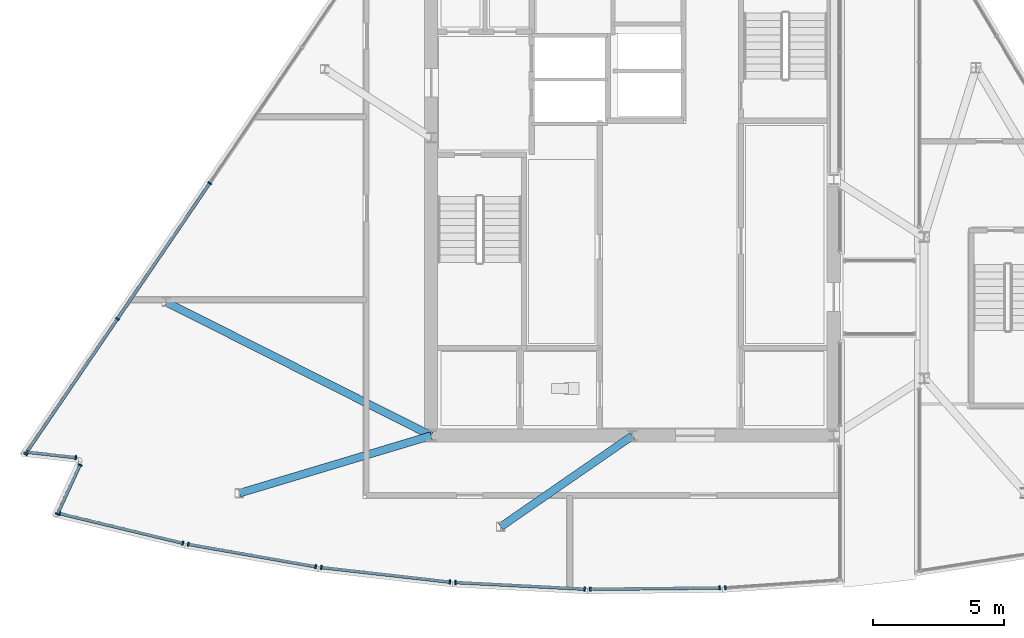
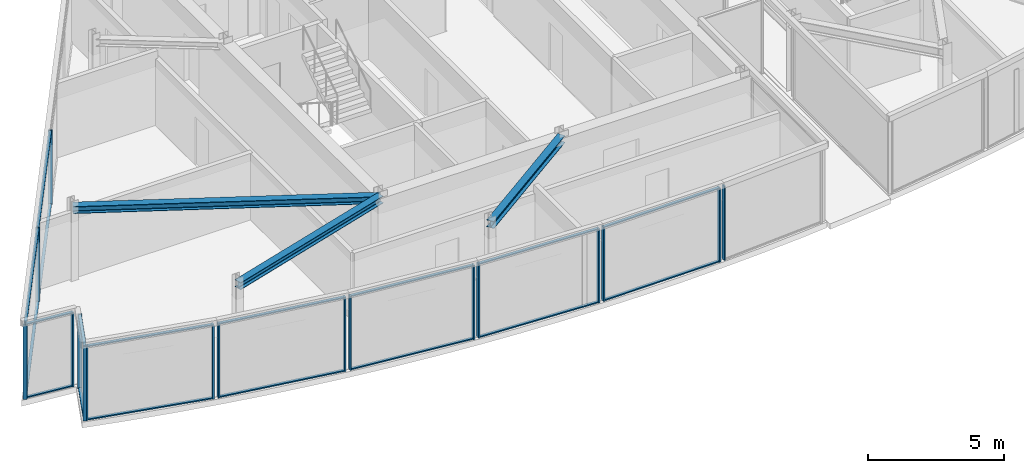
# One storey, part 3 of 15: 36 members, 3 beams, 9 elements without a shape of their own.
"""IFC4 building model written with IfcOpenShell, lengths in metres."""

from ifc_helpers import new_model, si_unit, direction, frame, origin, origin_2d, place, context, subcontext, project, spatial, rectangle, i_section, extrude, material, material_profile, profile_set, type_object, element, aggregate, save


model = new_model("IFC4")

# Units and contexts
model_context = context("Model", 3, precision=1e-05, world=origin(), true_north=direction((0.0, 1.0)))
body_context = subcontext(model_context, "Body", "Model", "MODEL_VIEW")
ifc_project = project(units=[si_unit("LENGTHUNIT", "METRE"), si_unit("AREAUNIT", "SQUARE_METRE"), si_unit("VOLUMEUNIT", "CUBIC_METRE"), si_unit("PLANEANGLEUNIT", "RADIAN"), si_unit("MASSUNIT", "GRAM", prefix="KILO")], contexts=[model_context])

# Site, building, storey
site_placement = place(None, origin())
site = spatial("IfcSite", under=ifc_project, at=site_placement, CompositionType="ELEMENT")
building_placement = place(site_placement, origin())
building = spatial("IfcBuilding", under=site, at=building_placement, Name="Savorim Split Tower", CompositionType="ELEMENT")
storey_placement = place(building_placement, frame((0.0, 0.0, 297.60009765625)))
storey = spatial("IfcBuildingStorey", under=building, at=storey_placement, Name="Crown L79 Plant", CompositionType="ELEMENT", Elevation=297.60009765625)

# Beams
ifc_material_1 = material(Name="Steel S355", Category="steel")
ifc_material_profile_1 = material_profile(ifc_material_1, i_section(OverallWidth=0.300048828125, OverallDepth=0.320068359375, WebThickness=0.011474609375, FlangeThickness=0.0205078125, FilletRadius=0.027099609375, at=origin_2d()), Name="HEB 320")
ifc_profile_set_1 = profile_set([ifc_material_profile_1], Name="Steel S355")
beam_type = type_object("IfcBeamType", Name="BM-PRI-HEB320", PredefinedType="BEAM", material=ifc_profile_set_1)
beam_1_placement = place(storey_placement, frame((-15.037109375, -11.6015625, 3.179931640625), z_axis=(0.957807862617, 0.287409287096, 0.0), x_axis=(-0.287409287096, 0.957807862617, 0.0)))
element("IfcBeam", 1, at=beam_1_placement, inside=storey, type_object=beam_type, Name="Crown L79 Plant West Crown Beam WBG-1", PredefinedType="BEAM", context=body_context, shape_type="SweptSolid", body=[
    extrude(i_section(OverallWidth=0.300048828125, OverallDepth=0.320068359375, WebThickness=0.011474609375, FlangeThickness=0.0205078125, FilletRadius=0.027099609375, at=origin_2d()), origin(), (0.0, 0.0, 1.0), 7.660400390625),
])
beam_2_placement = place(storey_placement, frame((-5.039794921875, -12.885009765625, 3.179931640625), z_axis=(0.82249616242, 0.568770659233, 0.0), x_axis=(-0.568770659233, 0.82249616242, 0.0)))
element("IfcBeam", 2, at=beam_2_placement, inside=storey, type_object=beam_type, Name="Crown L79 Plant West Crown Beam WBG-2", PredefinedType="BEAM", context=body_context, shape_type="SweptSolid", body=[
    extrude(i_section(OverallWidth=0.300048828125, OverallDepth=0.320068359375, WebThickness=0.011474609375, FlangeThickness=0.0205078125, FilletRadius=0.027099609375, at=origin_2d()), origin(), (0.0, 0.0, 1.0), 6.12744140625),
])
beam_3_placement = place(storey_placement, frame((-17.84033203125, -4.288818359375, 3.179931640625), z_axis=(0.892982084202, -0.450092209769, 0.0), x_axis=(0.450092209769, 0.892982084202, 0.0)))
element("IfcBeam", 3, at=beam_3_placement, inside=storey, type_object=beam_type, Name="Crown L79 Plant West Crown Beam WBG-3", PredefinedType="BEAM", context=body_context, shape_type="SweptSolid", body=[
    extrude(i_section(OverallWidth=0.300048828125, OverallDepth=0.320068359375, WebThickness=0.011474609375, FlangeThickness=0.0205078125, FilletRadius=0.027099609375, at=origin_2d()), origin(), (0.0, 0.0, 1.0), 11.355712890625),
])

# Curtain wall, members
ifc_material_2 = material(Name="Dark Ceramic-Fritted Insulated Glass", Category="glass")
curtain_wall_type = type_object("IfcCurtainWallType", Name="CW-CROWN-CREST", PredefinedType="NOTDEFINED", material=ifc_material_2)
curtain_wall_1_placement = place(storey_placement, origin())
curtain_wall_1 = element("IfcCurtainWall", 4, at=curtain_wall_1_placement, inside=storey, type_object=curtain_wall_type, Name="Crown L79 Plant Curtain Wall CW-Crown-L79-Plant-W5A", PredefinedType="NOTDEFINED")
ifc_material_3 = material(Name="Charcoal Anodised Aluminium", Category="aluminium")
ifc_material_profile_2 = material_profile(ifc_material_3, rectangle(XDim=0.159912109375, YDim=0.06005859375, at=origin_2d()), Name="ALU-M 160x60")
ifc_profile_set_2 = profile_set([ifc_material_profile_2], Name="Charcoal Anodised Aluminium")
member_type_1 = type_object("IfcMemberType", Name="CWM-160x60", PredefinedType="MULLION", material=ifc_profile_set_2)
member_1_placement = place(storey_placement, frame((-16.170654296875, 0.2587890625, 0.0), z_axis=(0.0, 0.0, 1.0), x_axis=(0.82682067148, -0.56246562314, 0.0)))
member_1 = element("IfcMember", 5, at=member_1_placement, type_object=member_type_1, Name="CW-07 mullion 5", PredefinedType="MULLION", context=body_context, shape_type="SweptSolid", body=[
    extrude(rectangle(XDim=0.159912109375, YDim=0.06005859375, at=origin_2d()), origin(), (0.0, 0.0, 1.0), 3.33984375),
])
member_2_placement = place(storey_placement, frame((-19.70361328125, -4.9345703125, 0.0), z_axis=(0.0, 0.0, 1.0), x_axis=(0.82682067148, -0.56246562314, 0.0)))
member_2 = element("IfcMember", 6, at=member_2_placement, type_object=member_type_1, Name="CW-07 mullion 6", PredefinedType="MULLION", context=body_context, shape_type="SweptSolid", body=[
    extrude(rectangle(XDim=0.159912109375, YDim=0.06005859375, at=origin_2d()), origin(), (0.0, 0.0, 1.0), 3.33984375),
])
member_3_placement = place(storey_placement, frame((-23.219482421875, -10.102783203125, 0.0), z_axis=(0.0, 0.0, 1.0), x_axis=(0.82682067148, -0.56246562314, 0.0)))
member_3 = element("IfcMember", 7, at=member_3_placement, type_object=member_type_1, Name="CW-07 mullion 7", PredefinedType="MULLION", context=body_context, shape_type="SweptSolid", body=[
    extrude(rectangle(XDim=0.159912109375, YDim=0.06005859375, at=origin_2d()), origin(), (0.0, 0.0, 1.0), 3.33984375),
])

curtain_wall_2_placement = place(storey_placement, origin())
curtain_wall_2 = element("IfcCurtainWall", 8, at=curtain_wall_2_placement, inside=storey, type_object=curtain_wall_type, Name="Crown L79 Plant Curtain Wall CW-Crown-L79-Plant-W6A", PredefinedType="NOTDEFINED")
member_4_placement = place(storey_placement, frame((-23.153564453125, -10.031005859375, 0.0), z_axis=(0.0, 0.0, 1.0), x_axis=(0.110982609263, 0.993822348532, 0.0)))
member_4 = element("IfcMember", 9, at=member_4_placement, type_object=member_type_1, Name="CW-07 mullion 1", PredefinedType="MULLION", context=body_context, shape_type="SweptSolid", body=[
    extrude(rectangle(XDim=0.159912109375, YDim=0.06005859375, at=origin_2d()), origin(), (0.0, 0.0, 1.0), 3.33984375),
])
member_5_placement = place(storey_placement, frame((-21.293212890625, -10.23876953125, 0.0), z_axis=(0.0, 0.0, 1.0), x_axis=(0.110982609263, 0.993822348532, 0.0)))
member_5 = element("IfcMember", 10, at=member_5_placement, type_object=member_type_1, Name="CW-07 mullion 2", PredefinedType="MULLION", context=body_context, shape_type="SweptSolid", body=[
    extrude(rectangle(XDim=0.159912109375, YDim=0.06005859375, at=origin_2d()), origin(), (0.0, 0.0, 1.0), 3.33984375),
])

curtain_wall_3_placement = place(storey_placement, origin())
curtain_wall_3 = element("IfcCurtainWall", 11, at=curtain_wall_3_placement, inside=storey, type_object=curtain_wall_type, Name="Crown L79 Plant Curtain Wall CW-Crown-L79-Plant-W7A", PredefinedType="NOTDEFINED")
member_6_placement = place(storey_placement, frame((-21.13427734375, -10.520263671875, 0.0), z_axis=(0.0, 0.0, 1.0), x_axis=(0.908677808197, -0.417498072917, 0.0)))
member_6 = element("IfcMember", 12, at=member_6_placement, type_object=member_type_1, Name="CW-07 mullion 1", PredefinedType="MULLION", context=body_context, shape_type="SweptSolid", body=[
    extrude(rectangle(XDim=0.159912109375, YDim=0.06005859375, at=origin_2d()), origin(), (0.0, 0.0, 1.0), 3.33984375),
])
member_7_placement = place(storey_placement, frame((-21.9970703125, -12.398193359375, 0.0), z_axis=(0.0, 0.0, 1.0), x_axis=(0.908677808197, -0.417498072917, 0.0)))
member_7 = element("IfcMember", 13, at=member_7_placement, type_object=member_type_1, Name="CW-07 mullion 2", PredefinedType="MULLION", context=body_context, shape_type="SweptSolid", body=[
    extrude(rectangle(XDim=0.159912109375, YDim=0.06005859375, at=origin_2d()), origin(), (0.0, 0.0, 1.0), 3.33984375),
])

curtain_wall_4_placement = place(storey_placement, origin())
curtain_wall_4 = element("IfcCurtainWall", 14, at=curtain_wall_4_placement, inside=storey, type_object=curtain_wall_type, Name="Crown L79 Plant Curtain Wall CW-Crown-L79-Plant-W8A", PredefinedType="NOTDEFINED")
member_8_placement = place(storey_placement, frame((-21.9150390625, -12.381591796875, 0.0), z_axis=(0.0, 0.0, 1.0), x_axis=(0.233159442207, 0.972438519655, 0.0)))
member_8 = element("IfcMember", 15, at=member_8_placement, type_object=member_type_1, Name="CW-07 mullion 1", PredefinedType="MULLION", context=body_context, shape_type="SweptSolid", body=[
    extrude(rectangle(XDim=0.159912109375, YDim=0.06005859375, at=origin_2d()), origin(), (0.0, 0.0, 1.0), 3.33984375),
])
member_9_placement = place(storey_placement, frame((-17.20166015625, -13.51171875, 0.0), z_axis=(0.0, 0.0, 1.0), x_axis=(0.233159442207, 0.972438519655, 0.0)))
member_9 = element("IfcMember", 16, at=member_9_placement, type_object=member_type_1, Name="CW-07 mullion 2", PredefinedType="MULLION", context=body_context, shape_type="SweptSolid", body=[
    extrude(rectangle(XDim=0.159912109375, YDim=0.06005859375, at=origin_2d()), origin(), (0.0, 0.0, 1.0), 3.33984375),
])

curtain_wall_5_placement = place(storey_placement, origin())
curtain_wall_5 = element("IfcCurtainWall", 17, at=curtain_wall_5_placement, inside=storey, type_object=curtain_wall_type, Name="Crown L79 Plant Curtain Wall CW-Crown-L79-Plant-W9A", PredefinedType="NOTDEFINED")
member_10_placement = place(storey_placement, frame((-16.993408203125, -13.5546875, 0.0), z_axis=(0.0, 0.0, 1.0), x_axis=(0.173063667518, 0.984910639086, 0.0)))
member_10 = element("IfcMember", 18, at=member_10_placement, type_object=member_type_1, Name="CW-07 mullion 1", PredefinedType="MULLION", context=body_context, shape_type="SweptSolid", body=[
    extrude(rectangle(XDim=0.159912109375, YDim=0.06005859375, at=origin_2d()), origin(), (0.0, 0.0, 1.0), 3.33984375),
])
member_11_placement = place(storey_placement, frame((-12.1162109375, -14.411865234375, 0.0), z_axis=(0.0, 0.0, 1.0), x_axis=(0.173063667518, 0.984910639086, 0.0)))
member_11 = element("IfcMember", 19, at=member_11_placement, type_object=member_type_1, Name="CW-07 mullion 2", PredefinedType="MULLION", context=body_context, shape_type="SweptSolid", body=[
    extrude(rectangle(XDim=0.159912109375, YDim=0.06005859375, at=origin_2d()), origin(), (0.0, 0.0, 1.0), 3.33984375),
])

curtain_wall_6_placement = place(storey_placement, origin())
curtain_wall_6 = element("IfcCurtainWall", 20, at=curtain_wall_6_placement, inside=storey, type_object=curtain_wall_type, Name="Crown L79 Plant Curtain Wall CW-Crown-L79-Plant-W10A", PredefinedType="NOTDEFINED")
member_12_placement = place(storey_placement, frame((-11.90576171875, -14.442138671875, 0.0), z_axis=(0.0, 0.0, 1.0), x_axis=(0.112332157661, 0.993670713242, 0.0)))
member_12 = element("IfcMember", 21, at=member_12_placement, type_object=member_type_1, Name="CW-07 mullion 1", PredefinedType="MULLION", context=body_context, shape_type="SweptSolid", body=[
    extrude(rectangle(XDim=0.159912109375, YDim=0.06005859375, at=origin_2d()), origin(), (0.0, 0.0, 1.0), 3.33984375),
])
member_13_placement = place(storey_placement, frame((-6.985107421875, -14.998291015625, 0.0), z_axis=(0.0, 0.0, 1.0), x_axis=(0.112332157661, 0.993670713242, 0.0)))
member_13 = element("IfcMember", 22, at=member_13_placement, type_object=member_type_1, Name="CW-07 mullion 2", PredefinedType="MULLION", context=body_context, shape_type="SweptSolid", body=[
    extrude(rectangle(XDim=0.159912109375, YDim=0.06005859375, at=origin_2d()), origin(), (0.0, 0.0, 1.0), 3.33984375),
])

curtain_wall_7_placement = place(storey_placement, origin())
curtain_wall_7 = element("IfcCurtainWall", 23, at=curtain_wall_7_placement, inside=storey, type_object=curtain_wall_type, Name="Crown L79 Plant Curtain Wall CW-Crown-L79-Plant-W11A", PredefinedType="NOTDEFINED")
member_14_placement = place(storey_placement, frame((-6.7734375, -15.015625, 0.0), z_axis=(0.0, 0.0, 1.0), x_axis=(0.051156584025, 0.99869064475, 0.0)))
member_14 = element("IfcMember", 24, at=member_14_placement, type_object=member_type_1, Name="CW-07 mullion 1", PredefinedType="MULLION", context=body_context, shape_type="SweptSolid", body=[
    extrude(rectangle(XDim=0.159912109375, YDim=0.06005859375, at=origin_2d()), origin(), (0.0, 0.0, 1.0), 3.33984375),
])
member_15_placement = place(storey_placement, frame((-1.827880859375, -15.26904296875, 0.0), z_axis=(0.0, 0.0, 1.0), x_axis=(0.051156584025, 0.99869064475, 0.0)))
member_15 = element("IfcMember", 25, at=member_15_placement, type_object=member_type_1, Name="CW-07 mullion 2", PredefinedType="MULLION", context=body_context, shape_type="SweptSolid", body=[
    extrude(rectangle(XDim=0.159912109375, YDim=0.06005859375, at=origin_2d()), origin(), (0.0, 0.0, 1.0), 3.33984375),
])

curtain_wall_8_placement = place(storey_placement, origin())
curtain_wall_8 = element("IfcCurtainWall", 26, at=curtain_wall_8_placement, inside=storey, type_object=curtain_wall_type, Name="Crown L79 Plant Curtain Wall CW-Crown-L79-Plant-W12A", PredefinedType="NOTDEFINED")
member_16_placement = place(storey_placement, frame((-1.615234375, -15.273193359375, 0.0), z_axis=(0.0, 0.0, 1.0), x_axis=(-0.010255461615, 0.999947411371, 0.0)))
member_16 = element("IfcMember", 27, at=member_16_placement, type_object=member_type_1, Name="CW-07 mullion 1", PredefinedType="MULLION", context=body_context, shape_type="SweptSolid", body=[
    extrude(rectangle(XDim=0.159912109375, YDim=0.06005859375, at=origin_2d()), origin(), (0.0, 0.0, 1.0), 3.33984375),
])
member_17_placement = place(storey_placement, frame((3.33642578125, -15.222412109375, 0.0), z_axis=(0.0, 0.0, 1.0), x_axis=(-0.010255461615, 0.999947411371, 0.0)))
member_17 = element("IfcMember", 28, at=member_17_placement, type_object=member_type_1, Name="CW-07 mullion 2", PredefinedType="MULLION", context=body_context, shape_type="SweptSolid", body=[
    extrude(rectangle(XDim=0.159912109375, YDim=0.06005859375, at=origin_2d()), origin(), (0.0, 0.0, 1.0), 3.33984375),
])

# Curtain wall, member
curtain_wall_9_placement = place(storey_placement, origin())
curtain_wall_9 = element("IfcCurtainWall", 29, at=curtain_wall_9_placement, inside=storey, type_object=curtain_wall_type, Name="Crown L79 Plant Curtain Wall CW-Crown-L79-Plant-W13A", PredefinedType="NOTDEFINED")
member_18_placement = place(storey_placement, frame((3.549072265625, -15.214111328125, 0.0), z_axis=(0.0, 0.0, 1.0), x_axis=(-0.069081475947, 0.997611021231, 0.0)))
member_18 = element("IfcMember", 30, at=member_18_placement, type_object=member_type_1, Name="CW-07 mullion 1", PredefinedType="MULLION", context=body_context, shape_type="SweptSolid", body=[
    extrude(rectangle(XDim=0.159912109375, YDim=0.06005859375, at=origin_2d()), origin(), (0.0, 0.0, 1.0), 3.33984375),
])
aggregate(curtain_wall_9, [member_18])

# Member
ifc_material_profile_3 = material_profile(ifc_material_3, rectangle(XDim=0.1201171875, YDim=0.050048828125, at=origin_2d()), Name="ALU-T 120x50")
ifc_profile_set_3 = profile_set([ifc_material_profile_3], Name="Charcoal Anodised Aluminium")
member_type_2 = type_object("IfcMemberType", Name="CWT-120x50", PredefinedType="USERDEFINED", material=ifc_profile_set_3)
member_19_placement = place(storey_placement, frame((-16.187744140625, 0.23388671875, 0.02490234375), z_axis=(-0.562464588518, -0.826821375306, 0.0), x_axis=(0.826821375306, -0.562464588518, 0.0)))
member_19 = element("IfcMember", 31, at=member_19_placement, type_object=member_type_2, Name="CW-07 transom 5.1", ObjectType="TRANSOM", PredefinedType="USERDEFINED", context=body_context, shape_type="SweptSolid", body=[
    extrude(rectangle(XDim=0.1201171875, YDim=0.050048828125, at=origin_2d()), origin(), (0.0, 0.0, 1.0), 6.220947265625),
])

member_20_placement = place(storey_placement, frame((-16.187744140625, 0.23388671875, 3.31494140625), z_axis=(-0.562464588518, -0.826821375306, 0.0), x_axis=(0.826821375306, -0.562464588518, 0.0)))
member_20 = element("IfcMember", 32, at=member_20_placement, type_object=member_type_2, Name="CW-07 transom 5.2", ObjectType="TRANSOM", PredefinedType="USERDEFINED", context=body_context, shape_type="SweptSolid", body=[
    extrude(rectangle(XDim=0.1201171875, YDim=0.050048828125, at=origin_2d()), origin(), (0.0, 0.0, 1.0), 6.220947265625),
])

member_21_placement = place(storey_placement, frame((-19.720458984375, -4.959228515625, 0.02490234375), z_axis=(-0.562456706082, -0.826826737463, 0.0), x_axis=(0.826826737463, -0.562456706082, 0.0)))
member_21 = element("IfcMember", 33, at=member_21_placement, type_object=member_type_2, Name="CW-07 transom 6.1", ObjectType="TRANSOM", PredefinedType="USERDEFINED", context=body_context, shape_type="SweptSolid", body=[
    extrude(rectangle(XDim=0.1201171875, YDim=0.050048828125, at=origin_2d()), origin(), (0.0, 0.0, 1.0), 6.19091796875),
])

member_22_placement = place(storey_placement, frame((-19.720458984375, -4.959228515625, 3.31494140625), z_axis=(-0.562456706082, -0.826826737463, 0.0), x_axis=(0.826826737463, -0.562456706082, 0.0)))
member_22 = element("IfcMember", 34, at=member_22_placement, type_object=member_type_2, Name="CW-07 transom 6.2", ObjectType="TRANSOM", PredefinedType="USERDEFINED", context=body_context, shape_type="SweptSolid", body=[
    extrude(rectangle(XDim=0.1201171875, YDim=0.050048828125, at=origin_2d()), origin(), (0.0, 0.0, 1.0), 6.19091796875),
])

aggregate(curtain_wall_1, [member_1, member_2, member_3, member_19, member_20, member_21, member_22])

member_23_placement = place(storey_placement, frame((-23.123779296875, -10.0341796875, 0.02490234375), z_axis=(0.993816172316, -0.111037901829, 0.0), x_axis=(0.111037901829, 0.993816172316, 0.0)))
member_23 = element("IfcMember", 35, at=member_23_placement, type_object=member_type_2, Name="CW-07 transom 1.1", ObjectType="TRANSOM", PredefinedType="USERDEFINED", context=body_context, shape_type="SweptSolid", body=[
    extrude(rectangle(XDim=0.1201171875, YDim=0.050048828125, at=origin_2d()), origin(), (0.0, 0.0, 1.0), 1.811767578125),
])

member_24_placement = place(storey_placement, frame((-23.123779296875, -10.0341796875, 3.31494140625), z_axis=(0.993816172316, -0.111037901829, 0.0), x_axis=(0.111037901829, 0.993816172316, 0.0)))
member_24 = element("IfcMember", 36, at=member_24_placement, type_object=member_type_2, Name="CW-07 transom 1.2", ObjectType="TRANSOM", PredefinedType="USERDEFINED", context=body_context, shape_type="SweptSolid", body=[
    extrude(rectangle(XDim=0.1201171875, YDim=0.050048828125, at=origin_2d()), origin(), (0.0, 0.0, 1.0), 1.811767578125),
])

aggregate(curtain_wall_2, [member_4, member_5, member_23, member_24])

member_25_placement = place(storey_placement, frame((-21.146728515625, -10.54736328125, 0.02490234375), z_axis=(-0.417530035487, -0.908663122101, 0.0), x_axis=(0.908663122101, -0.417530035487, 0.0)))
member_25 = element("IfcMember", 37, at=member_25_placement, type_object=member_type_2, Name="CW-07 transom 1.1", ObjectType="TRANSOM", PredefinedType="USERDEFINED", context=body_context, shape_type="SweptSolid", body=[
    extrude(rectangle(XDim=0.1201171875, YDim=0.050048828125, at=origin_2d()), origin(), (0.0, 0.0, 1.0), 2.0068359375),
])

member_26_placement = place(storey_placement, frame((-21.146728515625, -10.54736328125, 3.31494140625), z_axis=(-0.417530035487, -0.908663122101, 0.0), x_axis=(0.908663122101, -0.417530035487, 0.0)))
member_26 = element("IfcMember", 38, at=member_26_placement, type_object=member_type_2, Name="CW-07 transom 1.2", ObjectType="TRANSOM", PredefinedType="USERDEFINED", context=body_context, shape_type="SweptSolid", body=[
    extrude(rectangle(XDim=0.1201171875, YDim=0.050048828125, at=origin_2d()), origin(), (0.0, 0.0, 1.0), 2.0068359375),
])

aggregate(curtain_wall_3, [member_6, member_7, member_25, member_26])

member_27_placement = place(storey_placement, frame((-21.8857421875, -12.388427734375, 0.02490234375), z_axis=(0.97243450229, -0.233176196804, 0.0), x_axis=(0.233176196804, 0.97243450229, 0.0)))
member_27 = element("IfcMember", 39, at=member_27_placement, type_object=member_type_2, Name="CW-07 transom 1.1", ObjectType="TRANSOM", PredefinedType="USERDEFINED", context=body_context, shape_type="SweptSolid", body=[
    extrude(rectangle(XDim=0.1201171875, YDim=0.050048828125, at=origin_2d()), origin(), (0.0, 0.0, 1.0), 4.786865234375),
])

member_28_placement = place(storey_placement, frame((-21.8857421875, -12.388427734375, 3.31494140625), z_axis=(0.97243450229, -0.233176196804, 0.0), x_axis=(0.233176196804, 0.97243450229, 0.0)))
member_28 = element("IfcMember", 40, at=member_28_placement, type_object=member_type_2, Name="CW-07 transom 1.2", ObjectType="TRANSOM", PredefinedType="USERDEFINED", context=body_context, shape_type="SweptSolid", body=[
    extrude(rectangle(XDim=0.1201171875, YDim=0.050048828125, at=origin_2d()), origin(), (0.0, 0.0, 1.0), 4.786865234375),
])

aggregate(curtain_wall_4, [member_8, member_9, member_27, member_28])

member_29_placement = place(storey_placement, frame((-16.9638671875, -13.56005859375, 0.02490234375), z_axis=(0.984916911508, -0.173027967175, 0.0), x_axis=(0.173027967175, 0.984916911508, 0.0)))
member_29 = element("IfcMember", 41, at=member_29_placement, type_object=member_type_2, Name="CW-07 transom 1.1", ObjectType="TRANSOM", PredefinedType="USERDEFINED", context=body_context, shape_type="SweptSolid", body=[
    extrude(rectangle(XDim=0.1201171875, YDim=0.050048828125, at=origin_2d()), origin(), (0.0, 0.0, 1.0), 4.891845703125),
])

member_30_placement = place(storey_placement, frame((-16.9638671875, -13.56005859375, 3.31494140625), z_axis=(0.984916911508, -0.173027967175, 0.0), x_axis=(0.173027967175, 0.984916911508, 0.0)))
member_30 = element("IfcMember", 42, at=member_30_placement, type_object=member_type_2, Name="CW-07 transom 1.2", ObjectType="TRANSOM", PredefinedType="USERDEFINED", context=body_context, shape_type="SweptSolid", body=[
    extrude(rectangle(XDim=0.1201171875, YDim=0.050048828125, at=origin_2d()), origin(), (0.0, 0.0, 1.0), 4.891845703125),
])

aggregate(curtain_wall_5, [member_10, member_11, member_29, member_30])

member_31_placement = place(storey_placement, frame((-11.8759765625, -14.445556640625, 0.02490234375), z_axis=(0.99367505265, -0.112293765367, 0.0), x_axis=(0.112293765367, 0.99367505265, 0.0)))
member_31 = element("IfcMember", 43, at=member_31_placement, type_object=member_type_2, Name="CW-07 transom 1.1", ObjectType="TRANSOM", PredefinedType="USERDEFINED", context=body_context, shape_type="SweptSolid", body=[
    extrude(rectangle(XDim=0.1201171875, YDim=0.050048828125, at=origin_2d()), origin(), (0.0, 0.0, 1.0), 4.891845703125),
])

member_32_placement = place(storey_placement, frame((-11.8759765625, -14.445556640625, 3.31494140625), z_axis=(0.99367505265, -0.112293765367, 0.0), x_axis=(0.112293765367, 0.99367505265, 0.0)))
member_32 = element("IfcMember", 44, at=member_32_placement, type_object=member_type_2, Name="CW-07 transom 1.2", ObjectType="TRANSOM", PredefinedType="USERDEFINED", context=body_context, shape_type="SweptSolid", body=[
    extrude(rectangle(XDim=0.1201171875, YDim=0.050048828125, at=origin_2d()), origin(), (0.0, 0.0, 1.0), 4.891845703125),
])

aggregate(curtain_wall_6, [member_12, member_13, member_31, member_32])

member_33_placement = place(storey_placement, frame((-6.743408203125, -15.01708984375, 0.02490234375), z_axis=(0.998690737915, -0.051154765197, 0.0), x_axis=(0.051154765197, 0.998690737915, 0.0)))
member_33 = element("IfcMember", 45, at=member_33_placement, type_object=member_type_2, Name="CW-07 transom 1.1", ObjectType="TRANSOM", PredefinedType="USERDEFINED", context=body_context, shape_type="SweptSolid", body=[
    extrude(rectangle(XDim=0.1201171875, YDim=0.050048828125, at=origin_2d()), origin(), (0.0, 0.0, 1.0), 4.891845703125),
])

member_34_placement = place(storey_placement, frame((-6.743408203125, -15.01708984375, 3.31494140625), z_axis=(0.998690737915, -0.051154765197, 0.0), x_axis=(0.051154765197, 0.998690737915, 0.0)))
member_34 = element("IfcMember", 46, at=member_34_placement, type_object=member_type_2, Name="CW-07 transom 1.2", ObjectType="TRANSOM", PredefinedType="USERDEFINED", context=body_context, shape_type="SweptSolid", body=[
    extrude(rectangle(XDim=0.1201171875, YDim=0.050048828125, at=origin_2d()), origin(), (0.0, 0.0, 1.0), 4.891845703125),
])

aggregate(curtain_wall_7, [member_14, member_15, member_33, member_34])

member_35_placement = place(storey_placement, frame((-1.585205078125, -15.27294921875, 0.02490234375), z_axis=(0.999947661462, 0.010231047644, 0.0), x_axis=(-0.010231047644, 0.999947661462, 0.0)))
member_35 = element("IfcMember", 47, at=member_35_placement, type_object=member_type_2, Name="CW-07 transom 1.1", ObjectType="TRANSOM", PredefinedType="USERDEFINED", context=body_context, shape_type="SweptSolid", body=[
    extrude(rectangle(XDim=0.1201171875, YDim=0.050048828125, at=origin_2d()), origin(), (0.0, 0.0, 1.0), 4.891845703125),
])

member_36_placement = place(storey_placement, frame((-1.585205078125, -15.27294921875, 3.31494140625), z_axis=(0.999947661462, 0.010231047644, 0.0), x_axis=(-0.010231047644, 0.999947661462, 0.0)))
member_36 = element("IfcMember", 48, at=member_36_placement, type_object=member_type_2, Name="CW-07 transom 1.2", ObjectType="TRANSOM", PredefinedType="USERDEFINED", context=body_context, shape_type="SweptSolid", body=[
    extrude(rectangle(XDim=0.1201171875, YDim=0.050048828125, at=origin_2d()), origin(), (0.0, 0.0, 1.0), 4.891845703125),
])

aggregate(curtain_wall_8, [member_16, member_17, member_35, member_36])

save(model, "model.ifc")
